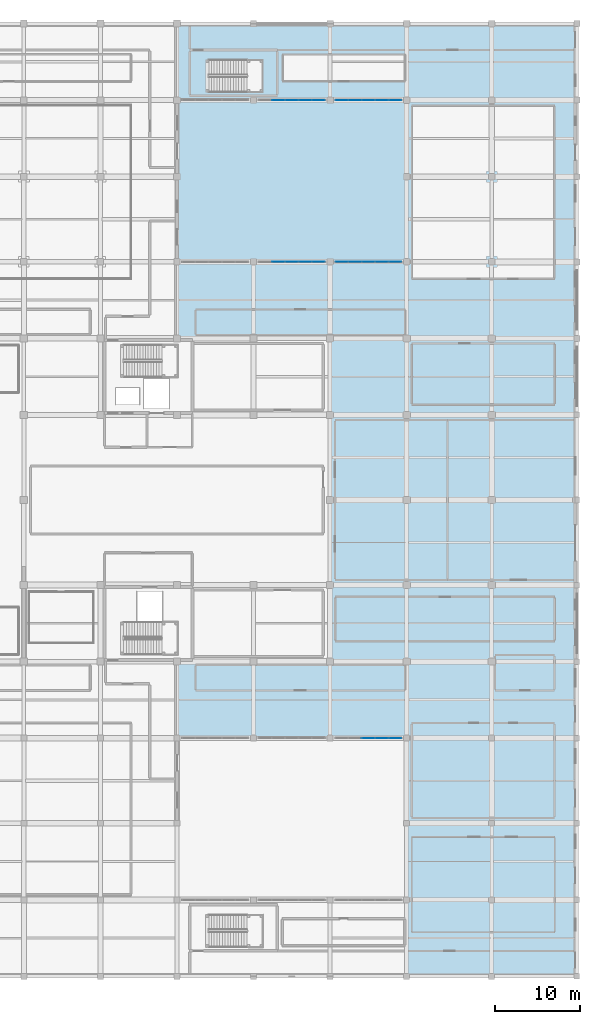
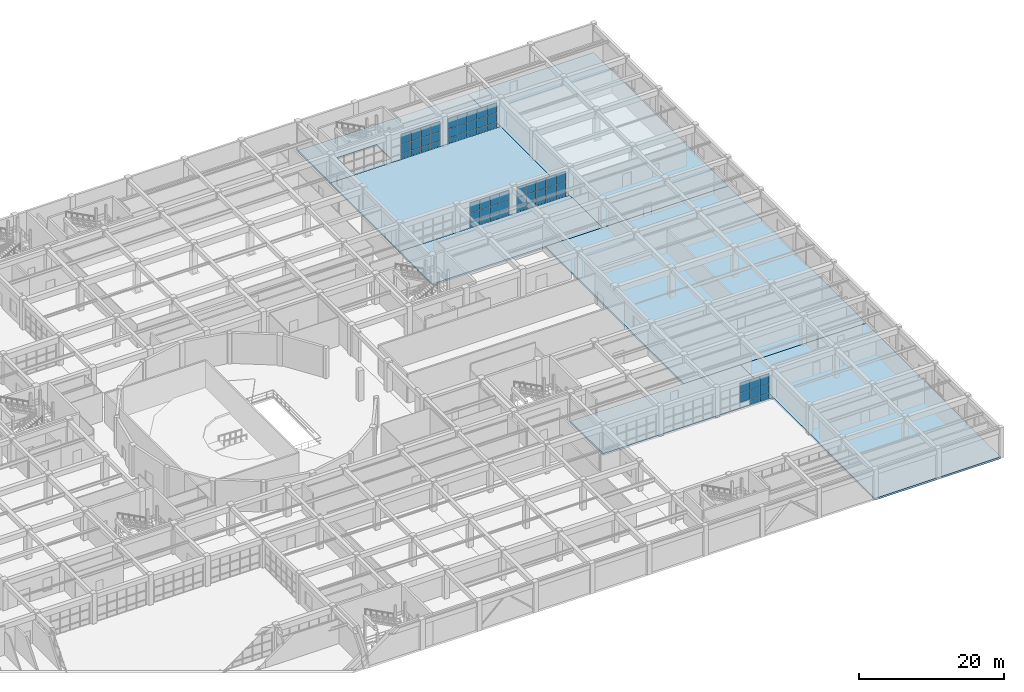
# One storey, part 93 of 128: 62 plates, 7 slabs, 5 elements without a shape of their own.
"""IFC4 building model written with IfcOpenShell, lengths in metres."""

import ifcopenshell
import ifcopenshell.guid

model = None  # the IFC model being written
_history = None  # IfcOwnerHistory: only IFC2X3 demands one
_inside = {}  # id of a spatial element -> (the spatial element, [elements in it])
_under = {}  # id of a project, library or spatial element -> (it, [spatial elements below it])
_declared = {}  # id of a project -> (the project, [libraries it declares])
_typed = {}  # id of a type object -> (the type object, [elements of that type])
_made_of = {}  # id of a material, layer set ... -> (it, [elements and type objects made of it])


def new_model(schema):
    """Start an empty IFC model of exactly this schema.

    Asked for "IFC4X3", IfcOpenShell would pick the latest addendum, in which some entities
    have other attributes; the version numbers below select the first issue.
    IFC2X3 requires an IfcOwnerHistory on every rooted entity: one is made here for all.
    """
    global model, _history
    if schema == "IFC4X3":
        model = ifcopenshell.file(schema_version=(4, 3, 0, 0))
    else:
        model = ifcopenshell.file(schema=schema)
    _inside.clear()
    _under.clear()
    _declared.clear()
    _typed.clear()
    _made_of.clear()
    _history = None
    if model.schema == "IFC2X3":
        org = make("IfcOrganization", Name="unknown")
        user = make(
            "IfcPersonAndOrganization",
            ThePerson=make("IfcPerson", FamilyName="unknown"),
            TheOrganization=org,
        )
        app = make(
            "IfcApplication",
            ApplicationDeveloper=org,
            Version="unknown",
            ApplicationFullName="unknown",
            ApplicationIdentifier="unknown",
        )
        _history = make(
            "IfcOwnerHistory",
            OwningUser=user,
            OwningApplication=app,
            ChangeAction="ADDED",
            CreationDate=0,
        )
    return model


def make(cls, **values):
    """One entity of the class cls with the attributes given. An attribute that is None is left unset."""
    return model.create_entity(
        cls, **{name: value for name, value in values.items() if value is not None}
    )


def rooted(cls, **values):
    """An entity with a GlobalId (a new one), such as an element, a storey or a relation."""
    return make(cls, GlobalId=ifcopenshell.guid.new(), OwnerHistory=_history, **values)


def si_unit(unit_type, name, prefix=None):
    """IfcSIUnit, for example si_unit("LENGTHUNIT", "METRE", prefix="MILLI")."""
    return make("IfcSIUnit", UnitType=unit_type, Prefix=prefix, Name=name)


def assignment(units):
    """IfcUnitAssignment: the units of a project."""
    return None if units is None else make("IfcUnitAssignment", Units=units)


def point(xyz):
    """IfcCartesianPoint."""
    return None if xyz is None else make("IfcCartesianPoint", Coordinates=xyz)


def direction(xyz):
    """IfcDirection."""
    return None if xyz is None else make("IfcDirection", DirectionRatios=xyz)


def frame(location, z_axis=None, x_axis=None):
    """IfcAxis2Placement3D, a coordinate frame: its origin and axes. An axis left out is left unset."""
    return make(
        "IfcAxis2Placement3D",
        Location=point(location),
        Axis=direction(z_axis),
        RefDirection=direction(x_axis),
    )


def frame_2d(location, x_axis=None):
    """IfcAxis2Placement2D, a coordinate frame in the plane: its origin and x axis."""
    return make(
        "IfcAxis2Placement2D", Location=point(location), RefDirection=direction(x_axis)
    )


def origin():
    """The frame at (0, 0, 0) with its axes left unset."""
    return frame((0.0, 0.0, 0.0))


def origin_2d():
    """The frame at (0, 0) in the plane with its x axis left unset."""
    return frame_2d((0.0, 0.0))


def place(relative_to, where):
    """IfcLocalPlacement: puts the frame where relative to a parent placement (None: the world)."""
    return make(
        "IfcLocalPlacement", PlacementRelTo=relative_to, RelativePlacement=where
    )


def context(
    kind, dimensions, precision=None, world=None, true_north=None, identifier=None
):
    """IfcGeometricRepresentationContext, for example the 3D "Model" context."""
    return make(
        "IfcGeometricRepresentationContext",
        ContextIdentifier=identifier,
        ContextType=kind,
        CoordinateSpaceDimension=dimensions,
        Precision=precision,
        WorldCoordinateSystem=world,
        TrueNorth=true_north,
    )


def subcontext(parent, identifier, kind, view, scale=None):
    """IfcGeometricRepresentationSubContext, for example "Body" below "Model"."""
    return make(
        "IfcGeometricRepresentationSubContext",
        ContextIdentifier=identifier,
        ContextType=kind,
        ParentContext=parent,
        TargetScale=scale,
        TargetView=view,
    )


def project(units=None, contexts=None):
    """IfcProject with its units and contexts."""
    return rooted(
        "IfcProject",
        Name="project",
        RepresentationContexts=contexts,
        UnitsInContext=assignment(units),
    )


def spatial(cls, under=None, at=None, **own):
    """A site, building, storey or space (cls), placed at a placement, below another one or the project."""
    s = rooted(cls, ObjectPlacement=at, **own)
    if under is not None:
        _under.setdefault(under.id(), (under, []))[1].append(s)
    return s


def polyline(points):
    """IfcPolyline through the points."""
    return make("IfcPolyline", Points=[point(p) for p in points])


def profile(cls, at=None, kind="AREA", **sizes):
    """A parametric profile (cls). Its sizes go by their IFC names, for example OverallWidth=200.0."""
    return make(cls, ProfileType=kind, Position=at, **sizes)


def rectangle(**sizes):
    """IfcRectangleProfileDef."""
    return profile("IfcRectangleProfileDef", **sizes)


def outline(outer, holes=None, kind="AREA"):
    """IfcArbitraryClosedProfileDef: a profile drawn as a closed curve; with holes, ...WithVoids."""
    if holes is None:
        return make("IfcArbitraryClosedProfileDef", ProfileType=kind, OuterCurve=outer)
    return make(
        "IfcArbitraryProfileDefWithVoids",
        ProfileType=kind,
        OuterCurve=outer,
        InnerCurves=holes,
    )


def extrude(swept, where, along, depth):
    """IfcExtrudedAreaSolid: the profile swept, set in the frame where, extruded along a direction by depth."""
    return make(
        "IfcExtrudedAreaSolid",
        SweptArea=swept,
        Position=where,
        ExtrudedDirection=direction(along),
        Depth=depth,
    )


def shape(context_of_items, identifier, shape_type, items):
    """IfcShapeRepresentation: the items that make up one representation, for example the "Body"."""
    return make(
        "IfcShapeRepresentation",
        ContextOfItems=context_of_items,
        RepresentationIdentifier=identifier,
        RepresentationType=shape_type,
        Items=items,
    )


def material(Name=None, Category=None):
    """IfcMaterial."""
    return make("IfcMaterial", Name=Name, Category=Category)


def layer(
    of_material, thickness, ventilated=None, Name=None, Category=None, Priority=None
):
    """IfcMaterialLayer: one layer of a wall or slab, of a material (None: an air gap)."""
    return make(
        "IfcMaterialLayer",
        Material=of_material,
        LayerThickness=thickness,
        IsVentilated=ventilated,
        Name=Name,
        Category=Category,
        Priority=Priority,
    )


def layer_set(layers, Name=None):
    """IfcMaterialLayerSet."""
    return make("IfcMaterialLayerSet", MaterialLayers=layers, LayerSetName=Name)


def made_of(thing, what):
    """Note that an element or type object is made of a material, layer set ...; save() writes the relation."""
    if what is not None:
        _made_of.setdefault(what.id(), (what, []))[1].append(thing)
    return thing


def type_object(cls, material=None, **own):
    """A type object (cls), such as IfcWallType, which elements share."""
    return made_of(rooted(cls, **own), material)


def element(
    cls,
    number,
    at=None,
    inside=None,
    cuts=None,
    type_object=None,
    material=None,
    context=None,
    identifier="Body",
    shape_type=None,
    held_by="IfcProductDefinitionShape",
    body=None,
    shapes=None,
    **own,
):
    """One element of the class cls, such as IfcWall. Its Tag is "e" and its number.

    at: its placement. inside: the storey or other place that contains it. cuts: it is an
    opening in that element (IfcRelVoidsElement). A single representation is given by context,
    identifier, shape_type and body (its items); several are given by shapes. held_by: the class
    of the entity that holds the representations. save() writes the other relations.
    """
    e = rooted(cls, Tag="e%d" % number, ObjectPlacement=at, **own)
    if body is not None:
        shapes = [shape(context, identifier, shape_type, body)]
    if shapes is not None:
        e.Representation = make(held_by, Representations=shapes)
    if inside is not None:
        _inside.setdefault(inside.id(), (inside, []))[1].append(e)
    if cuts is not None:
        rooted(
            "IfcRelVoidsElement", RelatingBuildingElement=cuts, RelatedOpeningElement=e
        )
    if type_object is not None:
        _typed.setdefault(type_object.id(), (type_object, []))[1].append(e)
    return made_of(e, material)


def aggregate(whole, parts):
    """IfcRelAggregates: a whole, such as a stair, and the parts it consists of."""
    return rooted("IfcRelAggregates", RelatingObject=whole, RelatedObjects=parts)


def save(model, path):
    """Write the relations noted so far, then the file.

    IfcRelAggregates (storeys below a building ...), IfcRelContainedInSpatialStructure (elements
    in a storey), IfcRelDefinesByType, IfcRelAssociatesMaterial and IfcRelDeclares: one each for
    every whole, place, type object, material and project.
    """
    for whole, parts in _under.values():
        aggregate(whole, parts)
    for where, things in _inside.values():
        rooted(
            "IfcRelContainedInSpatialStructure",
            RelatedElements=things,
            RelatingStructure=where,
        )
    for kind, things in _typed.values():
        rooted("IfcRelDefinesByType", RelatedObjects=things, RelatingType=kind)
    for what, things in _made_of.values():
        rooted("IfcRelAssociatesMaterial", RelatedObjects=things, RelatingMaterial=what)
    for by, libraries in _declared.values():
        rooted("IfcRelDeclares", RelatingContext=by, RelatedDefinitions=libraries)
    model.write(path)


model = new_model("IFC4")

# Units and contexts
model_context = context("Model", 3, precision=1e-05, world=origin(), true_north=direction((0.0, 1.0)))
body_context = subcontext(model_context, "Body", "Model", "MODEL_VIEW")
ifc_project = project(units=[si_unit("LENGTHUNIT", "METRE"), si_unit("AREAUNIT", "SQUARE_METRE"), si_unit("VOLUMEUNIT", "CUBIC_METRE"), si_unit("PLANEANGLEUNIT", "RADIAN"), si_unit("MASSUNIT", "GRAM", prefix="KILO")], contexts=[model_context])

# Site, building, storey
site_placement = place(None, origin())
site = spatial("IfcSite", under=ifc_project, at=site_placement, CompositionType="ELEMENT")
building_placement = place(site_placement, origin())
building = spatial("IfcBuilding", under=site, at=building_placement, Name="Miravela Opera House", CompositionType="ELEMENT")
storey_placement = place(building_placement, origin())
storey = spatial("IfcBuildingStorey", under=building, at=storey_placement, Name="L00", CompositionType="ELEMENT", Elevation=0.0)

# Curtain wall, plates
ifc_material_1 = material(Name="Anodised architectural bronze aluminium 6063-T6", Category="aluminium")
curtain_wall_type_1 = type_object("IfcCurtainWallType", Name="ARC-CW-05", PredefinedType="NOTDEFINED", material=ifc_material_1)
curtain_wall_1_placement = place(storey_placement, origin())
curtain_wall_1 = element("IfcCurtainWall", 1, at=curtain_wall_1_placement, inside=storey, type_object=curtain_wall_type_1, Name="Courtyard Arcade Curtain Wall CW-L00-160", PredefinedType="NOTDEFINED")
ifc_material_2 = material(Name="Acoustic laminated low-E insulating glass", Category="glass")
ifc_layer_1 = layer(ifc_material_2, 0.028076171875)
ifc_layer_set_1 = layer_set([ifc_layer_1])
plate_type = type_object("IfcPlateType", Name="ARC-CWP-28", PredefinedType="CURTAIN_PANEL", material=ifc_layer_set_1)
plate_1_placement = place(storey_placement, frame((128.931884765625, 84.0, 0.06005859375), z_axis=(0.0, 0.0, 1.0), x_axis=(1.0, 0.0, 0.0)))
plate_1 = element("IfcPlate", 2, at=plate_1_placement, type_object=plate_type, Name="CW-05 panel 2.1", PredefinedType="CURTAIN_PANEL", context=body_context, shape_type="SweptSolid", body=[
    extrude(rectangle(XDim=1.508056640625, YDim=0.028076171875, at=origin_2d()), origin(), (0.0, 0.0, 1.0), 0.860107421875),
])
plate_2_placement = place(storey_placement, frame((128.931884765625, 84.0, 0.97998046875), z_axis=(0.0, 0.0, 1.0), x_axis=(1.0, 0.0, 0.0)))
plate_2 = element("IfcPlate", 3, at=plate_2_placement, type_object=plate_type, Name="CW-05 panel 2.2", PredefinedType="CURTAIN_PANEL", context=body_context, shape_type="SweptSolid", body=[
    extrude(rectangle(XDim=1.508056640625, YDim=0.028076171875, at=origin_2d()), origin(), (0.0, 0.0, 1.0), 1.48388671875),
])
plate_3_placement = place(storey_placement, frame((128.931884765625, 84.0, 2.52392578125), z_axis=(0.0, 0.0, 1.0), x_axis=(1.0, 0.0, 0.0)))
plate_3 = element("IfcPlate", 4, at=plate_3_placement, type_object=plate_type, Name="CW-05 panel 2.3", PredefinedType="CURTAIN_PANEL", context=body_context, shape_type="SweptSolid", body=[
    extrude(rectangle(XDim=1.508056640625, YDim=0.028076171875, at=origin_2d()), origin(), (0.0, 0.0, 1.0), 1.716064453125),
])
plate_4_placement = place(storey_placement, frame((130.5, 84.0, 0.06005859375), z_axis=(0.0, 0.0, 1.0), x_axis=(1.0, 0.0, 0.0)))
plate_4 = element("IfcPlate", 5, at=plate_4_placement, type_object=plate_type, Name="CW-05 panel 3.1", PredefinedType="CURTAIN_PANEL", context=body_context, shape_type="SweptSolid", body=[
    extrude(rectangle(XDim=1.508056640625, YDim=0.028076171875, at=origin_2d()), origin(), (0.0, 0.0, 1.0), 0.860107421875),
])
plate_5_placement = place(storey_placement, frame((130.5, 84.0, 0.97998046875), z_axis=(0.0, 0.0, 1.0), x_axis=(1.0, 0.0, 0.0)))
plate_5 = element("IfcPlate", 6, at=plate_5_placement, type_object=plate_type, Name="CW-05 panel 3.2", PredefinedType="CURTAIN_PANEL", context=body_context, shape_type="SweptSolid", body=[
    extrude(rectangle(XDim=1.508056640625, YDim=0.028076171875, at=origin_2d()), origin(), (0.0, 0.0, 1.0), 1.48388671875),
])
plate_6_placement = place(storey_placement, frame((130.5, 84.0, 2.52392578125), z_axis=(0.0, 0.0, 1.0), x_axis=(1.0, 0.0, 0.0)))
plate_6 = element("IfcPlate", 7, at=plate_6_placement, type_object=plate_type, Name="CW-05 panel 3.3", PredefinedType="CURTAIN_PANEL", context=body_context, shape_type="SweptSolid", body=[
    extrude(rectangle(XDim=1.508056640625, YDim=0.028076171875, at=origin_2d()), origin(), (0.0, 0.0, 1.0), 1.716064453125),
])
plate_7_placement = place(storey_placement, frame((132.068115234375, 84.0, 0.06005859375), z_axis=(0.0, 0.0, 1.0), x_axis=(1.0, 0.0, 0.0)))
plate_7 = element("IfcPlate", 8, at=plate_7_placement, type_object=plate_type, Name="CW-05 panel 4.1", PredefinedType="CURTAIN_PANEL", context=body_context, shape_type="SweptSolid", body=[
    extrude(rectangle(XDim=1.508056640625, YDim=0.028076171875, at=origin_2d()), origin(), (0.0, 0.0, 1.0), 0.860107421875),
])
plate_8_placement = place(storey_placement, frame((132.068115234375, 84.0, 0.97998046875), z_axis=(0.0, 0.0, 1.0), x_axis=(1.0, 0.0, 0.0)))
plate_8 = element("IfcPlate", 9, at=plate_8_placement, type_object=plate_type, Name="CW-05 panel 4.2", PredefinedType="CURTAIN_PANEL", context=body_context, shape_type="SweptSolid", body=[
    extrude(rectangle(XDim=1.508056640625, YDim=0.028076171875, at=origin_2d()), origin(), (0.0, 0.0, 1.0), 1.48388671875),
])
plate_9_placement = place(storey_placement, frame((132.068115234375, 84.0, 2.52392578125), z_axis=(0.0, 0.0, 1.0), x_axis=(1.0, 0.0, 0.0)))
plate_9 = element("IfcPlate", 10, at=plate_9_placement, type_object=plate_type, Name="CW-05 panel 4.3", PredefinedType="CURTAIN_PANEL", context=body_context, shape_type="SweptSolid", body=[
    extrude(rectangle(XDim=1.508056640625, YDim=0.028076171875, at=origin_2d()), origin(), (0.0, 0.0, 1.0), 1.716064453125),
])
plate_10_placement = place(storey_placement, frame((133.62109375, 84.0, 0.06005859375), z_axis=(0.0, 0.0, 1.0), x_axis=(1.0, 0.0, 0.0)))
plate_10 = element("IfcPlate", 11, at=plate_10_placement, type_object=plate_type, Name="CW-05 panel 5.1", PredefinedType="CURTAIN_PANEL", context=body_context, shape_type="SweptSolid", body=[
    extrude(rectangle(XDim=1.47802734375, YDim=0.028076171875, at=origin_2d()), origin(), (0.0, 0.0, 1.0), 0.860107421875),
])
plate_11_placement = place(storey_placement, frame((133.62109375, 84.0, 0.97998046875), z_axis=(0.0, 0.0, 1.0), x_axis=(1.0, 0.0, 0.0)))
plate_11 = element("IfcPlate", 12, at=plate_11_placement, type_object=plate_type, Name="CW-05 panel 5.2", PredefinedType="CURTAIN_PANEL", context=body_context, shape_type="SweptSolid", body=[
    extrude(rectangle(XDim=1.47802734375, YDim=0.028076171875, at=origin_2d()), origin(), (0.0, 0.0, 1.0), 1.48388671875),
])
plate_12_placement = place(storey_placement, frame((133.62109375, 84.0, 2.52392578125), z_axis=(0.0, 0.0, 1.0), x_axis=(1.0, 0.0, 0.0)))
plate_12 = element("IfcPlate", 13, at=plate_12_placement, type_object=plate_type, Name="CW-05 panel 5.3", PredefinedType="CURTAIN_PANEL", context=body_context, shape_type="SweptSolid", body=[
    extrude(rectangle(XDim=1.47802734375, YDim=0.028076171875, at=origin_2d()), origin(), (0.0, 0.0, 1.0), 1.716064453125),
])
aggregate(curtain_wall_1, [plate_1, plate_2, plate_3, plate_4, plate_5, plate_6, plate_7, plate_8, plate_9, plate_10, plate_11, plate_12])

curtain_wall_2_placement = place(storey_placement, origin())
curtain_wall_2 = element("IfcCurtainWall", 14, at=curtain_wall_2_placement, inside=storey, type_object=curtain_wall_type_1, Name="Courtyard Arcade Curtain Wall CW-L00-161", PredefinedType="NOTDEFINED")
plate_13_placement = place(storey_placement, frame((128.931884765625, 103.0, 0.06005859375), z_axis=(0.0, 0.0, 1.0), x_axis=(1.0, 0.0, 0.0)))
plate_13 = element("IfcPlate", 15, at=plate_13_placement, type_object=plate_type, Name="CW-05 panel 2.1", PredefinedType="CURTAIN_PANEL", context=body_context, shape_type="SweptSolid", body=[
    extrude(rectangle(XDim=1.508056640625, YDim=0.028076171875, at=origin_2d()), origin(), (0.0, 0.0, 1.0), 0.860107421875),
])
plate_14_placement = place(storey_placement, frame((128.931884765625, 103.0, 0.97998046875), z_axis=(0.0, 0.0, 1.0), x_axis=(1.0, 0.0, 0.0)))
plate_14 = element("IfcPlate", 16, at=plate_14_placement, type_object=plate_type, Name="CW-05 panel 2.2", PredefinedType="CURTAIN_PANEL", context=body_context, shape_type="SweptSolid", body=[
    extrude(rectangle(XDim=1.508056640625, YDim=0.028076171875, at=origin_2d()), origin(), (0.0, 0.0, 1.0), 1.48388671875),
])
plate_15_placement = place(storey_placement, frame((128.931884765625, 103.0, 2.52392578125), z_axis=(0.0, 0.0, 1.0), x_axis=(1.0, 0.0, 0.0)))
plate_15 = element("IfcPlate", 17, at=plate_15_placement, type_object=plate_type, Name="CW-05 panel 2.3", PredefinedType="CURTAIN_PANEL", context=body_context, shape_type="SweptSolid", body=[
    extrude(rectangle(XDim=1.508056640625, YDim=0.028076171875, at=origin_2d()), origin(), (0.0, 0.0, 1.0), 1.716064453125),
])
plate_16_placement = place(storey_placement, frame((130.5, 103.0, 0.06005859375), z_axis=(0.0, 0.0, 1.0), x_axis=(1.0, 0.0, 0.0)))
plate_16 = element("IfcPlate", 18, at=plate_16_placement, type_object=plate_type, Name="CW-05 panel 3.1", PredefinedType="CURTAIN_PANEL", context=body_context, shape_type="SweptSolid", body=[
    extrude(rectangle(XDim=1.508056640625, YDim=0.028076171875, at=origin_2d()), origin(), (0.0, 0.0, 1.0), 0.860107421875),
])
plate_17_placement = place(storey_placement, frame((130.5, 103.0, 0.97998046875), z_axis=(0.0, 0.0, 1.0), x_axis=(1.0, 0.0, 0.0)))
plate_17 = element("IfcPlate", 19, at=plate_17_placement, type_object=plate_type, Name="CW-05 panel 3.2", PredefinedType="CURTAIN_PANEL", context=body_context, shape_type="SweptSolid", body=[
    extrude(rectangle(XDim=1.508056640625, YDim=0.028076171875, at=origin_2d()), origin(), (0.0, 0.0, 1.0), 1.48388671875),
])
plate_18_placement = place(storey_placement, frame((130.5, 103.0, 2.52392578125), z_axis=(0.0, 0.0, 1.0), x_axis=(1.0, 0.0, 0.0)))
plate_18 = element("IfcPlate", 20, at=plate_18_placement, type_object=plate_type, Name="CW-05 panel 3.3", PredefinedType="CURTAIN_PANEL", context=body_context, shape_type="SweptSolid", body=[
    extrude(rectangle(XDim=1.508056640625, YDim=0.028076171875, at=origin_2d()), origin(), (0.0, 0.0, 1.0), 1.716064453125),
])
plate_19_placement = place(storey_placement, frame((132.068115234375, 103.0, 0.06005859375), z_axis=(0.0, 0.0, 1.0), x_axis=(1.0, 0.0, 0.0)))
plate_19 = element("IfcPlate", 21, at=plate_19_placement, type_object=plate_type, Name="CW-05 panel 4.1", PredefinedType="CURTAIN_PANEL", context=body_context, shape_type="SweptSolid", body=[
    extrude(rectangle(XDim=1.508056640625, YDim=0.028076171875, at=origin_2d()), origin(), (0.0, 0.0, 1.0), 0.860107421875),
])
plate_20_placement = place(storey_placement, frame((132.068115234375, 103.0, 0.97998046875), z_axis=(0.0, 0.0, 1.0), x_axis=(1.0, 0.0, 0.0)))
plate_20 = element("IfcPlate", 22, at=plate_20_placement, type_object=plate_type, Name="CW-05 panel 4.2", PredefinedType="CURTAIN_PANEL", context=body_context, shape_type="SweptSolid", body=[
    extrude(rectangle(XDim=1.508056640625, YDim=0.028076171875, at=origin_2d()), origin(), (0.0, 0.0, 1.0), 1.48388671875),
])
plate_21_placement = place(storey_placement, frame((132.068115234375, 103.0, 2.52392578125), z_axis=(0.0, 0.0, 1.0), x_axis=(1.0, 0.0, 0.0)))
plate_21 = element("IfcPlate", 23, at=plate_21_placement, type_object=plate_type, Name="CW-05 panel 4.3", PredefinedType="CURTAIN_PANEL", context=body_context, shape_type="SweptSolid", body=[
    extrude(rectangle(XDim=1.508056640625, YDim=0.028076171875, at=origin_2d()), origin(), (0.0, 0.0, 1.0), 1.716064453125),
])
plate_22_placement = place(storey_placement, frame((133.62109375, 103.0, 0.06005859375), z_axis=(0.0, 0.0, 1.0), x_axis=(1.0, 0.0, 0.0)))
plate_22 = element("IfcPlate", 24, at=plate_22_placement, type_object=plate_type, Name="CW-05 panel 5.1", PredefinedType="CURTAIN_PANEL", context=body_context, shape_type="SweptSolid", body=[
    extrude(rectangle(XDim=1.47802734375, YDim=0.028076171875, at=origin_2d()), origin(), (0.0, 0.0, 1.0), 0.860107421875),
])
plate_23_placement = place(storey_placement, frame((133.62109375, 103.0, 0.97998046875), z_axis=(0.0, 0.0, 1.0), x_axis=(1.0, 0.0, 0.0)))
plate_23 = element("IfcPlate", 25, at=plate_23_placement, type_object=plate_type, Name="CW-05 panel 5.2", PredefinedType="CURTAIN_PANEL", context=body_context, shape_type="SweptSolid", body=[
    extrude(rectangle(XDim=1.47802734375, YDim=0.028076171875, at=origin_2d()), origin(), (0.0, 0.0, 1.0), 1.48388671875),
])
plate_24_placement = place(storey_placement, frame((133.62109375, 103.0, 2.52392578125), z_axis=(0.0, 0.0, 1.0), x_axis=(1.0, 0.0, 0.0)))
plate_24 = element("IfcPlate", 26, at=plate_24_placement, type_object=plate_type, Name="CW-05 panel 5.3", PredefinedType="CURTAIN_PANEL", context=body_context, shape_type="SweptSolid", body=[
    extrude(rectangle(XDim=1.47802734375, YDim=0.028076171875, at=origin_2d()), origin(), (0.0, 0.0, 1.0), 1.716064453125),
])
aggregate(curtain_wall_2, [plate_13, plate_14, plate_15, plate_16, plate_17, plate_18, plate_19, plate_20, plate_21, plate_22, plate_23, plate_24])

curtain_wall_3_placement = place(storey_placement, origin())
curtain_wall_3 = element("IfcCurtainWall", 27, at=curtain_wall_3_placement, inside=storey, type_object=curtain_wall_type_1, Name="Courtyard Arcade Curtain Wall CW-L00-164", PredefinedType="NOTDEFINED")
plate_25_placement = place(storey_placement, frame((136.37890625, 84.0, 0.06005859375), z_axis=(0.0, 0.0, 1.0), x_axis=(1.0, 0.0, 0.0)))
plate_25 = element("IfcPlate", 28, at=plate_25_placement, type_object=plate_type, Name="CW-05 panel 1.1", PredefinedType="CURTAIN_PANEL", context=body_context, shape_type="SweptSolid", body=[
    extrude(rectangle(XDim=1.47802734375, YDim=0.028076171875, at=origin_2d()), origin(), (0.0, 0.0, 1.0), 0.860107421875),
])
plate_26_placement = place(storey_placement, frame((136.37890625, 84.0, 0.97998046875), z_axis=(0.0, 0.0, 1.0), x_axis=(1.0, 0.0, 0.0)))
plate_26 = element("IfcPlate", 29, at=plate_26_placement, type_object=plate_type, Name="CW-05 panel 1.2", PredefinedType="CURTAIN_PANEL", context=body_context, shape_type="SweptSolid", body=[
    extrude(rectangle(XDim=1.47802734375, YDim=0.028076171875, at=origin_2d()), origin(), (0.0, 0.0, 1.0), 1.48388671875),
])
plate_27_placement = place(storey_placement, frame((136.37890625, 84.0, 2.52392578125), z_axis=(0.0, 0.0, 1.0), x_axis=(1.0, 0.0, 0.0)))
plate_27 = element("IfcPlate", 30, at=plate_27_placement, type_object=plate_type, Name="CW-05 panel 1.3", PredefinedType="CURTAIN_PANEL", context=body_context, shape_type="SweptSolid", body=[
    extrude(rectangle(XDim=1.47802734375, YDim=0.028076171875, at=origin_2d()), origin(), (0.0, 0.0, 1.0), 1.716064453125),
])
plate_28_placement = place(storey_placement, frame((137.931884765625, 84.0, 0.06005859375), z_axis=(0.0, 0.0, 1.0), x_axis=(1.0, 0.0, 0.0)))
plate_28 = element("IfcPlate", 31, at=plate_28_placement, type_object=plate_type, Name="CW-05 panel 2.1", PredefinedType="CURTAIN_PANEL", context=body_context, shape_type="SweptSolid", body=[
    extrude(rectangle(XDim=1.508056640625, YDim=0.028076171875, at=origin_2d()), origin(), (0.0, 0.0, 1.0), 0.860107421875),
])
plate_29_placement = place(storey_placement, frame((137.931884765625, 84.0, 0.97998046875), z_axis=(0.0, 0.0, 1.0), x_axis=(1.0, 0.0, 0.0)))
plate_29 = element("IfcPlate", 32, at=plate_29_placement, type_object=plate_type, Name="CW-05 panel 2.2", PredefinedType="CURTAIN_PANEL", context=body_context, shape_type="SweptSolid", body=[
    extrude(rectangle(XDim=1.508056640625, YDim=0.028076171875, at=origin_2d()), origin(), (0.0, 0.0, 1.0), 1.48388671875),
])
plate_30_placement = place(storey_placement, frame((137.931884765625, 84.0, 2.52392578125), z_axis=(0.0, 0.0, 1.0), x_axis=(1.0, 0.0, 0.0)))
plate_30 = element("IfcPlate", 33, at=plate_30_placement, type_object=plate_type, Name="CW-05 panel 2.3", PredefinedType="CURTAIN_PANEL", context=body_context, shape_type="SweptSolid", body=[
    extrude(rectangle(XDim=1.508056640625, YDim=0.028076171875, at=origin_2d()), origin(), (0.0, 0.0, 1.0), 1.716064453125),
])
plate_31_placement = place(storey_placement, frame((139.5, 84.0, 0.06005859375), z_axis=(0.0, 0.0, 1.0), x_axis=(1.0, 0.0, 0.0)))
plate_31 = element("IfcPlate", 34, at=plate_31_placement, type_object=plate_type, Name="CW-05 panel 3.1", PredefinedType="CURTAIN_PANEL", context=body_context, shape_type="SweptSolid", body=[
    extrude(rectangle(XDim=1.508056640625, YDim=0.028076171875, at=origin_2d()), origin(), (0.0, 0.0, 1.0), 0.860107421875),
])
plate_32_placement = place(storey_placement, frame((139.5, 84.0, 0.97998046875), z_axis=(0.0, 0.0, 1.0), x_axis=(1.0, 0.0, 0.0)))
plate_32 = element("IfcPlate", 35, at=plate_32_placement, type_object=plate_type, Name="CW-05 panel 3.2", PredefinedType="CURTAIN_PANEL", context=body_context, shape_type="SweptSolid", body=[
    extrude(rectangle(XDim=1.508056640625, YDim=0.028076171875, at=origin_2d()), origin(), (0.0, 0.0, 1.0), 1.48388671875),
])
plate_33_placement = place(storey_placement, frame((139.5, 84.0, 2.52392578125), z_axis=(0.0, 0.0, 1.0), x_axis=(1.0, 0.0, 0.0)))
plate_33 = element("IfcPlate", 36, at=plate_33_placement, type_object=plate_type, Name="CW-05 panel 3.3", PredefinedType="CURTAIN_PANEL", context=body_context, shape_type="SweptSolid", body=[
    extrude(rectangle(XDim=1.508056640625, YDim=0.028076171875, at=origin_2d()), origin(), (0.0, 0.0, 1.0), 1.716064453125),
])
plate_34_placement = place(storey_placement, frame((141.068115234375, 84.0, 0.06005859375), z_axis=(0.0, 0.0, 1.0), x_axis=(1.0, 0.0, 0.0)))
plate_34 = element("IfcPlate", 37, at=plate_34_placement, type_object=plate_type, Name="CW-05 panel 4.1", PredefinedType="CURTAIN_PANEL", context=body_context, shape_type="SweptSolid", body=[
    extrude(rectangle(XDim=1.508056640625, YDim=0.028076171875, at=origin_2d()), origin(), (0.0, 0.0, 1.0), 0.860107421875),
])
plate_35_placement = place(storey_placement, frame((141.068115234375, 84.0, 0.97998046875), z_axis=(0.0, 0.0, 1.0), x_axis=(1.0, 0.0, 0.0)))
plate_35 = element("IfcPlate", 38, at=plate_35_placement, type_object=plate_type, Name="CW-05 panel 4.2", PredefinedType="CURTAIN_PANEL", context=body_context, shape_type="SweptSolid", body=[
    extrude(rectangle(XDim=1.508056640625, YDim=0.028076171875, at=origin_2d()), origin(), (0.0, 0.0, 1.0), 1.48388671875),
])
plate_36_placement = place(storey_placement, frame((141.068115234375, 84.0, 2.52392578125), z_axis=(0.0, 0.0, 1.0), x_axis=(1.0, 0.0, 0.0)))
plate_36 = element("IfcPlate", 39, at=plate_36_placement, type_object=plate_type, Name="CW-05 panel 4.3", PredefinedType="CURTAIN_PANEL", context=body_context, shape_type="SweptSolid", body=[
    extrude(rectangle(XDim=1.508056640625, YDim=0.028076171875, at=origin_2d()), origin(), (0.0, 0.0, 1.0), 1.716064453125),
])
plate_37_placement = place(storey_placement, frame((142.62109375, 84.0, 0.06005859375), z_axis=(0.0, 0.0, 1.0), x_axis=(1.0, 0.0, 0.0)))
plate_37 = element("IfcPlate", 40, at=plate_37_placement, type_object=plate_type, Name="CW-05 panel 5.1", PredefinedType="CURTAIN_PANEL", context=body_context, shape_type="SweptSolid", body=[
    extrude(rectangle(XDim=1.47802734375, YDim=0.028076171875, at=origin_2d()), origin(), (0.0, 0.0, 1.0), 0.860107421875),
])
plate_38_placement = place(storey_placement, frame((142.62109375, 84.0, 0.97998046875), z_axis=(0.0, 0.0, 1.0), x_axis=(1.0, 0.0, 0.0)))
plate_38 = element("IfcPlate", 41, at=plate_38_placement, type_object=plate_type, Name="CW-05 panel 5.2", PredefinedType="CURTAIN_PANEL", context=body_context, shape_type="SweptSolid", body=[
    extrude(rectangle(XDim=1.47802734375, YDim=0.028076171875, at=origin_2d()), origin(), (0.0, 0.0, 1.0), 1.48388671875),
])
plate_39_placement = place(storey_placement, frame((142.62109375, 84.0, 2.52392578125), z_axis=(0.0, 0.0, 1.0), x_axis=(1.0, 0.0, 0.0)))
plate_39 = element("IfcPlate", 42, at=plate_39_placement, type_object=plate_type, Name="CW-05 panel 5.3", PredefinedType="CURTAIN_PANEL", context=body_context, shape_type="SweptSolid", body=[
    extrude(rectangle(XDim=1.47802734375, YDim=0.028076171875, at=origin_2d()), origin(), (0.0, 0.0, 1.0), 1.716064453125),
])
aggregate(curtain_wall_3, [plate_25, plate_26, plate_27, plate_28, plate_29, plate_30, plate_31, plate_32, plate_33, plate_34, plate_35, plate_36, plate_37, plate_38, plate_39])

curtain_wall_4_placement = place(storey_placement, origin())
curtain_wall_4 = element("IfcCurtainWall", 43, at=curtain_wall_4_placement, inside=storey, type_object=curtain_wall_type_1, Name="Courtyard Arcade Curtain Wall CW-L00-165", PredefinedType="NOTDEFINED")
plate_40_placement = place(storey_placement, frame((136.37890625, 103.0, 0.06005859375), z_axis=(0.0, 0.0, 1.0), x_axis=(1.0, 0.0, 0.0)))
plate_40 = element("IfcPlate", 44, at=plate_40_placement, type_object=plate_type, Name="CW-05 panel 1.1", PredefinedType="CURTAIN_PANEL", context=body_context, shape_type="SweptSolid", body=[
    extrude(rectangle(XDim=1.47802734375, YDim=0.028076171875, at=origin_2d()), origin(), (0.0, 0.0, 1.0), 0.860107421875),
])
plate_41_placement = place(storey_placement, frame((136.37890625, 103.0, 0.97998046875), z_axis=(0.0, 0.0, 1.0), x_axis=(1.0, 0.0, 0.0)))
plate_41 = element("IfcPlate", 45, at=plate_41_placement, type_object=plate_type, Name="CW-05 panel 1.2", PredefinedType="CURTAIN_PANEL", context=body_context, shape_type="SweptSolid", body=[
    extrude(rectangle(XDim=1.47802734375, YDim=0.028076171875, at=origin_2d()), origin(), (0.0, 0.0, 1.0), 1.48388671875),
])
plate_42_placement = place(storey_placement, frame((136.37890625, 103.0, 2.52392578125), z_axis=(0.0, 0.0, 1.0), x_axis=(1.0, 0.0, 0.0)))
plate_42 = element("IfcPlate", 46, at=plate_42_placement, type_object=plate_type, Name="CW-05 panel 1.3", PredefinedType="CURTAIN_PANEL", context=body_context, shape_type="SweptSolid", body=[
    extrude(rectangle(XDim=1.47802734375, YDim=0.028076171875, at=origin_2d()), origin(), (0.0, 0.0, 1.0), 1.716064453125),
])
plate_43_placement = place(storey_placement, frame((137.931884765625, 103.0, 0.06005859375), z_axis=(0.0, 0.0, 1.0), x_axis=(1.0, 0.0, 0.0)))
plate_43 = element("IfcPlate", 47, at=plate_43_placement, type_object=plate_type, Name="CW-05 panel 2.1", PredefinedType="CURTAIN_PANEL", context=body_context, shape_type="SweptSolid", body=[
    extrude(rectangle(XDim=1.508056640625, YDim=0.028076171875, at=origin_2d()), origin(), (0.0, 0.0, 1.0), 0.860107421875),
])
plate_44_placement = place(storey_placement, frame((137.931884765625, 103.0, 0.97998046875), z_axis=(0.0, 0.0, 1.0), x_axis=(1.0, 0.0, 0.0)))
plate_44 = element("IfcPlate", 48, at=plate_44_placement, type_object=plate_type, Name="CW-05 panel 2.2", PredefinedType="CURTAIN_PANEL", context=body_context, shape_type="SweptSolid", body=[
    extrude(rectangle(XDim=1.508056640625, YDim=0.028076171875, at=origin_2d()), origin(), (0.0, 0.0, 1.0), 1.48388671875),
])
plate_45_placement = place(storey_placement, frame((137.931884765625, 103.0, 2.52392578125), z_axis=(0.0, 0.0, 1.0), x_axis=(1.0, 0.0, 0.0)))
plate_45 = element("IfcPlate", 49, at=plate_45_placement, type_object=plate_type, Name="CW-05 panel 2.3", PredefinedType="CURTAIN_PANEL", context=body_context, shape_type="SweptSolid", body=[
    extrude(rectangle(XDim=1.508056640625, YDim=0.028076171875, at=origin_2d()), origin(), (0.0, 0.0, 1.0), 1.716064453125),
])
plate_46_placement = place(storey_placement, frame((139.5, 103.0, 0.06005859375), z_axis=(0.0, 0.0, 1.0), x_axis=(1.0, 0.0, 0.0)))
plate_46 = element("IfcPlate", 50, at=plate_46_placement, type_object=plate_type, Name="CW-05 panel 3.1", PredefinedType="CURTAIN_PANEL", context=body_context, shape_type="SweptSolid", body=[
    extrude(rectangle(XDim=1.508056640625, YDim=0.028076171875, at=origin_2d()), origin(), (0.0, 0.0, 1.0), 0.860107421875),
])
plate_47_placement = place(storey_placement, frame((139.5, 103.0, 0.97998046875), z_axis=(0.0, 0.0, 1.0), x_axis=(1.0, 0.0, 0.0)))
plate_47 = element("IfcPlate", 51, at=plate_47_placement, type_object=plate_type, Name="CW-05 panel 3.2", PredefinedType="CURTAIN_PANEL", context=body_context, shape_type="SweptSolid", body=[
    extrude(rectangle(XDim=1.508056640625, YDim=0.028076171875, at=origin_2d()), origin(), (0.0, 0.0, 1.0), 1.48388671875),
])
plate_48_placement = place(storey_placement, frame((139.5, 103.0, 2.52392578125), z_axis=(0.0, 0.0, 1.0), x_axis=(1.0, 0.0, 0.0)))
plate_48 = element("IfcPlate", 52, at=plate_48_placement, type_object=plate_type, Name="CW-05 panel 3.3", PredefinedType="CURTAIN_PANEL", context=body_context, shape_type="SweptSolid", body=[
    extrude(rectangle(XDim=1.508056640625, YDim=0.028076171875, at=origin_2d()), origin(), (0.0, 0.0, 1.0), 1.716064453125),
])
plate_49_placement = place(storey_placement, frame((141.068115234375, 103.0, 0.06005859375), z_axis=(0.0, 0.0, 1.0), x_axis=(1.0, 0.0, 0.0)))
plate_49 = element("IfcPlate", 53, at=plate_49_placement, type_object=plate_type, Name="CW-05 panel 4.1", PredefinedType="CURTAIN_PANEL", context=body_context, shape_type="SweptSolid", body=[
    extrude(rectangle(XDim=1.508056640625, YDim=0.028076171875, at=origin_2d()), origin(), (0.0, 0.0, 1.0), 0.860107421875),
])
plate_50_placement = place(storey_placement, frame((141.068115234375, 103.0, 0.97998046875), z_axis=(0.0, 0.0, 1.0), x_axis=(1.0, 0.0, 0.0)))
plate_50 = element("IfcPlate", 54, at=plate_50_placement, type_object=plate_type, Name="CW-05 panel 4.2", PredefinedType="CURTAIN_PANEL", context=body_context, shape_type="SweptSolid", body=[
    extrude(rectangle(XDim=1.508056640625, YDim=0.028076171875, at=origin_2d()), origin(), (0.0, 0.0, 1.0), 1.48388671875),
])
plate_51_placement = place(storey_placement, frame((141.068115234375, 103.0, 2.52392578125), z_axis=(0.0, 0.0, 1.0), x_axis=(1.0, 0.0, 0.0)))
plate_51 = element("IfcPlate", 55, at=plate_51_placement, type_object=plate_type, Name="CW-05 panel 4.3", PredefinedType="CURTAIN_PANEL", context=body_context, shape_type="SweptSolid", body=[
    extrude(rectangle(XDim=1.508056640625, YDim=0.028076171875, at=origin_2d()), origin(), (0.0, 0.0, 1.0), 1.716064453125),
])
plate_52_placement = place(storey_placement, frame((142.62109375, 103.0, 0.06005859375), z_axis=(0.0, 0.0, 1.0), x_axis=(1.0, 0.0, 0.0)))
plate_52 = element("IfcPlate", 56, at=plate_52_placement, type_object=plate_type, Name="CW-05 panel 5.1", PredefinedType="CURTAIN_PANEL", context=body_context, shape_type="SweptSolid", body=[
    extrude(rectangle(XDim=1.47802734375, YDim=0.028076171875, at=origin_2d()), origin(), (0.0, 0.0, 1.0), 0.860107421875),
])
plate_53_placement = place(storey_placement, frame((142.62109375, 103.0, 0.97998046875), z_axis=(0.0, 0.0, 1.0), x_axis=(1.0, 0.0, 0.0)))
plate_53 = element("IfcPlate", 57, at=plate_53_placement, type_object=plate_type, Name="CW-05 panel 5.2", PredefinedType="CURTAIN_PANEL", context=body_context, shape_type="SweptSolid", body=[
    extrude(rectangle(XDim=1.47802734375, YDim=0.028076171875, at=origin_2d()), origin(), (0.0, 0.0, 1.0), 1.48388671875),
])
plate_54_placement = place(storey_placement, frame((142.62109375, 103.0, 2.52392578125), z_axis=(0.0, 0.0, 1.0), x_axis=(1.0, 0.0, 0.0)))
plate_54 = element("IfcPlate", 58, at=plate_54_placement, type_object=plate_type, Name="CW-05 panel 5.3", PredefinedType="CURTAIN_PANEL", context=body_context, shape_type="SweptSolid", body=[
    extrude(rectangle(XDim=1.47802734375, YDim=0.028076171875, at=origin_2d()), origin(), (0.0, 0.0, 1.0), 1.716064453125),
])
aggregate(curtain_wall_4, [plate_40, plate_41, plate_42, plate_43, plate_44, plate_45, plate_46, plate_47, plate_48, plate_49, plate_50, plate_51, plate_52, plate_53, plate_54])

curtain_wall_type_2 = type_object("IfcCurtainWallType", Name="ARC-CW-06", PredefinedType="NOTDEFINED", material=ifc_material_1)
curtain_wall_5_placement = place(storey_placement, origin())
curtain_wall_5 = element("IfcCurtainWall", 59, at=curtain_wall_5_placement, inside=storey, type_object=curtain_wall_type_2, Name="Courtyard Arcade Curtain Wall CW-L00-166", PredefinedType="NOTDEFINED")
plate_55_placement = place(storey_placement, frame((139.5, 28.0, 0.97998046875), z_axis=(0.0, 0.0, 1.0), x_axis=(1.0, 0.0, 0.0)))
plate_55 = element("IfcPlate", 60, at=plate_55_placement, type_object=plate_type, Name="CW-06 panel 3.2", PredefinedType="CURTAIN_PANEL", context=body_context, shape_type="SweptSolid", body=[
    extrude(rectangle(XDim=1.508056640625, YDim=0.028076171875, at=origin_2d()), origin(), (0.0, 0.0, 1.0), 1.48388671875),
])
plate_56_placement = place(storey_placement, frame((139.5, 28.0, 2.52392578125), z_axis=(0.0, 0.0, 1.0), x_axis=(1.0, 0.0, 0.0)))
plate_56 = element("IfcPlate", 61, at=plate_56_placement, type_object=plate_type, Name="CW-06 panel 3.3", PredefinedType="CURTAIN_PANEL", context=body_context, shape_type="SweptSolid", body=[
    extrude(rectangle(XDim=1.508056640625, YDim=0.028076171875, at=origin_2d()), origin(), (0.0, 0.0, 1.0), 1.716064453125),
])
plate_57_placement = place(storey_placement, frame((141.068115234375, 28.0, 0.06005859375), z_axis=(0.0, 0.0, 1.0), x_axis=(1.0, 0.0, 0.0)))
plate_57 = element("IfcPlate", 62, at=plate_57_placement, type_object=plate_type, Name="CW-06 panel 4.1", PredefinedType="CURTAIN_PANEL", context=body_context, shape_type="SweptSolid", body=[
    extrude(rectangle(XDim=1.508056640625, YDim=0.028076171875, at=origin_2d()), origin(), (0.0, 0.0, 1.0), 0.860107421875),
])
plate_58_placement = place(storey_placement, frame((141.068115234375, 28.0, 0.97998046875), z_axis=(0.0, 0.0, 1.0), x_axis=(1.0, 0.0, 0.0)))
plate_58 = element("IfcPlate", 63, at=plate_58_placement, type_object=plate_type, Name="CW-06 panel 4.2", PredefinedType="CURTAIN_PANEL", context=body_context, shape_type="SweptSolid", body=[
    extrude(rectangle(XDim=1.508056640625, YDim=0.028076171875, at=origin_2d()), origin(), (0.0, 0.0, 1.0), 1.48388671875),
])
plate_59_placement = place(storey_placement, frame((141.068115234375, 28.0, 2.52392578125), z_axis=(0.0, 0.0, 1.0), x_axis=(1.0, 0.0, 0.0)))
plate_59 = element("IfcPlate", 64, at=plate_59_placement, type_object=plate_type, Name="CW-06 panel 4.3", PredefinedType="CURTAIN_PANEL", context=body_context, shape_type="SweptSolid", body=[
    extrude(rectangle(XDim=1.508056640625, YDim=0.028076171875, at=origin_2d()), origin(), (0.0, 0.0, 1.0), 1.716064453125),
])
plate_60_placement = place(storey_placement, frame((142.62109375, 28.0, 0.06005859375), z_axis=(0.0, 0.0, 1.0), x_axis=(1.0, 0.0, 0.0)))
plate_60 = element("IfcPlate", 65, at=plate_60_placement, type_object=plate_type, Name="CW-06 panel 5.1", PredefinedType="CURTAIN_PANEL", context=body_context, shape_type="SweptSolid", body=[
    extrude(rectangle(XDim=1.47802734375, YDim=0.028076171875, at=origin_2d()), origin(), (0.0, 0.0, 1.0), 0.860107421875),
])
plate_61_placement = place(storey_placement, frame((142.62109375, 28.0, 0.97998046875), z_axis=(0.0, 0.0, 1.0), x_axis=(1.0, 0.0, 0.0)))
plate_61 = element("IfcPlate", 66, at=plate_61_placement, type_object=plate_type, Name="CW-06 panel 5.2", PredefinedType="CURTAIN_PANEL", context=body_context, shape_type="SweptSolid", body=[
    extrude(rectangle(XDim=1.47802734375, YDim=0.028076171875, at=origin_2d()), origin(), (0.0, 0.0, 1.0), 1.48388671875),
])
plate_62_placement = place(storey_placement, frame((142.62109375, 28.0, 2.52392578125), z_axis=(0.0, 0.0, 1.0), x_axis=(1.0, 0.0, 0.0)))
plate_62 = element("IfcPlate", 67, at=plate_62_placement, type_object=plate_type, Name="CW-06 panel 5.3", PredefinedType="CURTAIN_PANEL", context=body_context, shape_type="SweptSolid", body=[
    extrude(rectangle(XDim=1.47802734375, YDim=0.028076171875, at=origin_2d()), origin(), (0.0, 0.0, 1.0), 1.716064453125),
])
aggregate(curtain_wall_5, [plate_55, plate_56, plate_57, plate_58, plate_59, plate_60, plate_61, plate_62])

# Slabs
ifc_material_3 = material(Name="Concrete C35/45", Category="concrete")
ifc_layer_2 = layer(ifc_material_3, 0.280029296875)
ifc_layer_set_2 = layer_set([ifc_layer_2])
slab_type_1 = type_object("IfcSlabType", Name="STR-SLAB-L00-280", PredefinedType="FLOOR", material=ifc_layer_set_2)
slab_1_placement = place(storey_placement, frame((0.0, 0.0, -0.280029296875)))
element("IfcSlab", 68, at=slab_1_placement, inside=storey, type_object=slab_type_1, Name="Ground Level Slab SLAB-L00-V3E", PredefinedType="FLOOR", context=body_context, shape_type="SweptSolid", body=[
    extrude(outline(polyline([(144.0, 75.0), (164.0, 75.0), (164.0, 112.0), (144.0, 112.0), (144.0, 75.0)])), origin(), (0.0, 0.0, 1.0), 0.280029296875),
])
slab_2_placement = place(storey_placement, frame((0.0, 0.0, -0.280029296875)))
element("IfcSlab", 69, at=slab_2_placement, inside=storey, type_object=slab_type_1, Name="Ground Level Slab SLAB-L00-V3B", PredefinedType="FLOOR", context=body_context, shape_type="SweptSolid", body=[
    extrude(outline(polyline([(117.0, 75.0), (144.0, 75.0), (144.0, 84.0), (117.0, 84.0), (117.0, 75.0)])), origin(), (0.0, 0.0, 1.0), 0.280029296875),
])
slab_3_placement = place(storey_placement, frame((0.0, 0.0, -0.280029296875)))
element("IfcSlab", 70, at=slab_3_placement, inside=storey, type_object=slab_type_1, Name="Ground Level Slab SLAB-L00-V3T", PredefinedType="FLOOR", context=body_context, shape_type="SweptSolid", body=[
    extrude(outline(polyline([(117.0, 103.0), (144.0, 103.0), (144.0, 112.0), (117.0, 112.0), (117.0, 103.0)]), holes=[polyline([(120.739990234375, 103.89990234375), (127.10009765625, 103.89990234375), (127.10009765625, 107.780029296875), (120.739990234375, 107.780029296875), (120.739990234375, 103.89990234375)])]), origin(), (0.0, 0.0, 1.0), 0.280029296875),
])
ifc_material_4 = material(Name="Concrete C40/50", Category="concrete")
ifc_layer_3 = layer(ifc_material_4, 0.320068359375)
ifc_layer_set_3 = layer_set([ifc_layer_3])
slab_type_2 = type_object("IfcSlabType", Name="STR-SLAB-STAGE-320", PredefinedType="FLOOR", material=ifc_layer_set_3)
slab_4_placement = place(storey_placement, frame((0.0, 0.0, -0.320068359375)))
element("IfcSlab", 71, at=slab_4_placement, inside=storey, type_object=slab_type_2, Name="Ground Level Slab SLAB-L00-V2R", PredefinedType="FLOOR", context=body_context, shape_type="SweptSolid", body=[
    extrude(outline(polyline([(135.0, 37.0), (164.0, 37.0), (164.0, 75.0), (135.0, 75.0), (135.0, 37.0)])), origin(), (0.0, 0.0, 1.0), 0.320068359375),
])
slab_5_placement = place(storey_placement, frame((0.0, 0.0, -0.320068359375)))
element("IfcSlab", 72, at=slab_5_placement, inside=storey, type_object=slab_type_2, Name="Ground Level Slab SLAB-L00-V4B", PredefinedType="FLOOR", context=body_context, shape_type="SweptSolid", body=[
    extrude(outline(polyline([(117.0, 28.0), (144.0, 28.0), (144.0, 37.0), (117.0, 37.0), (117.0, 28.0)])), origin(), (0.0, 0.0, 1.0), 0.320068359375),
])
slab_6_placement = place(storey_placement, frame((0.0, 0.0, -0.320068359375)))
element("IfcSlab", 73, at=slab_6_placement, inside=storey, type_object=slab_type_2, Name="Ground Level Slab SLAB-L00-V4E", PredefinedType="FLOOR", context=body_context, shape_type="SweptSolid", body=[
    extrude(outline(polyline([(144.0, 0.0), (164.0, 0.0), (164.0, 37.0), (144.0, 37.0), (144.0, 0.0)])), origin(), (0.0, 0.0, 1.0), 0.320068359375),
])
ifc_layer_4 = layer(ifc_material_3, 0.27001953125)
ifc_layer_set_4 = layer_set([ifc_layer_4])
slab_type_3 = type_object("IfcSlabType", Name="STR-SLAB-TERR-270", PredefinedType="FLOOR", material=ifc_layer_set_4)
slab_7_placement = place(storey_placement, frame((0.0, 0.0, -0.27001953125)))
element("IfcSlab", 74, at=slab_7_placement, inside=storey, type_object=slab_type_3, Name="Ground Level Slab SLAB-L00-EXT-NEC", PredefinedType="FLOOR", context=body_context, shape_type="SweptSolid", body=[
    extrude(outline(polyline([(117.0, 84.0), (144.0, 84.0), (144.0, 103.0), (117.0, 103.0), (117.0, 84.0)])), origin(), (0.0, 0.0, 1.0), 0.27001953125),
])

save(model, "model.ifc")
